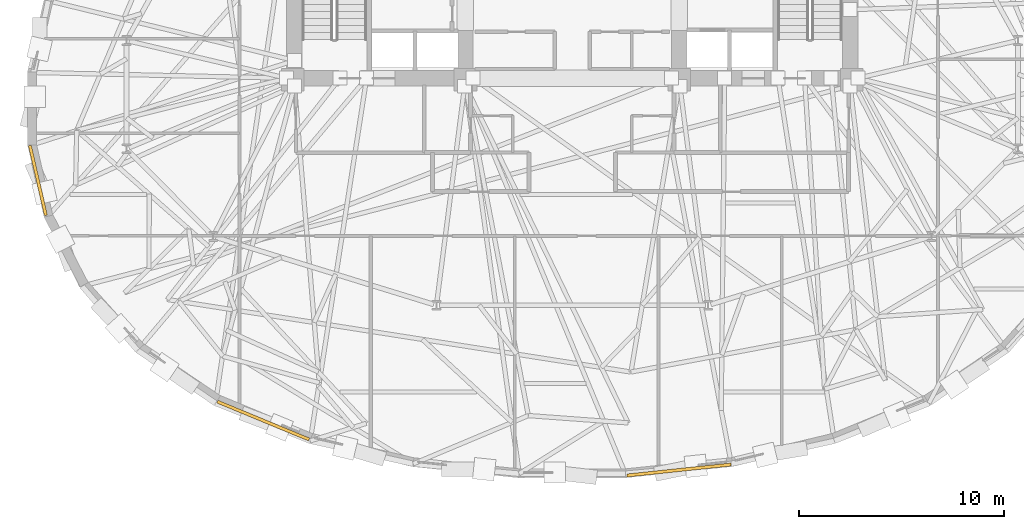
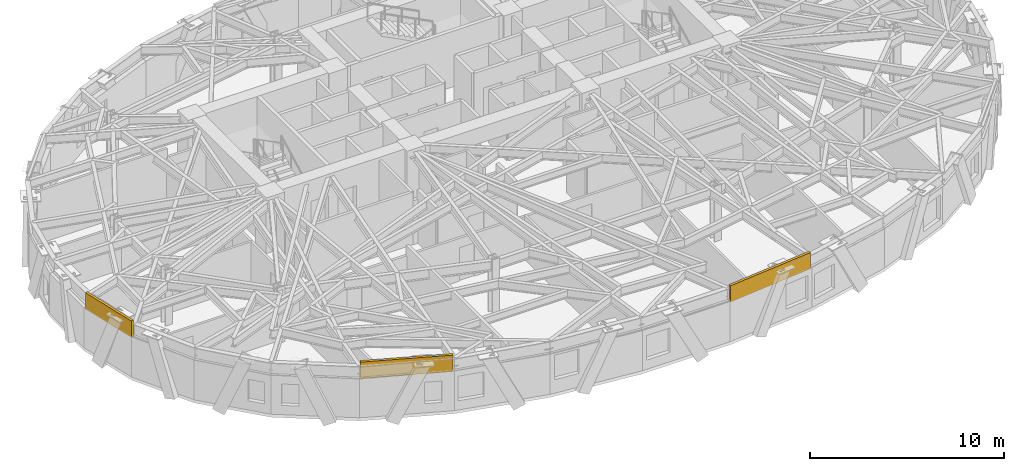
# One storey, part 11 of 14: 3 coverings.
"""IFC4 building model written with IfcOpenShell, lengths in metres."""

import ifcopenshell
import ifcopenshell.guid

model = None  # the IFC model being written
_history = None  # IfcOwnerHistory: only IFC2X3 demands one
_inside = {}  # id of a spatial element -> (the spatial element, [elements in it])
_under = {}  # id of a project, library or spatial element -> (it, [spatial elements below it])
_declared = {}  # id of a project -> (the project, [libraries it declares])
_typed = {}  # id of a type object -> (the type object, [elements of that type])
_made_of = {}  # id of a material, layer set ... -> (it, [elements and type objects made of it])


def new_model(schema):
    """Start an empty IFC model of exactly this schema.

    Asked for "IFC4X3", IfcOpenShell would pick the latest addendum, in which some entities
    have other attributes; the version numbers below select the first issue.
    IFC2X3 requires an IfcOwnerHistory on every rooted entity: one is made here for all.
    """
    global model, _history
    if schema == "IFC4X3":
        model = ifcopenshell.file(schema_version=(4, 3, 0, 0))
    else:
        model = ifcopenshell.file(schema=schema)
    _inside.clear()
    _under.clear()
    _declared.clear()
    _typed.clear()
    _made_of.clear()
    _history = None
    if model.schema == "IFC2X3":
        org = make("IfcOrganization", Name="unknown")
        user = make(
            "IfcPersonAndOrganization",
            ThePerson=make("IfcPerson", FamilyName="unknown"),
            TheOrganization=org,
        )
        app = make(
            "IfcApplication",
            ApplicationDeveloper=org,
            Version="unknown",
            ApplicationFullName="unknown",
            ApplicationIdentifier="unknown",
        )
        _history = make(
            "IfcOwnerHistory",
            OwningUser=user,
            OwningApplication=app,
            ChangeAction="ADDED",
            CreationDate=0,
        )
    return model


def make(cls, **values):
    """One entity of the class cls with the attributes given. An attribute that is None is left unset."""
    return model.create_entity(
        cls, **{name: value for name, value in values.items() if value is not None}
    )


def rooted(cls, **values):
    """An entity with a GlobalId (a new one), such as an element, a storey or a relation."""
    return make(cls, GlobalId=ifcopenshell.guid.new(), OwnerHistory=_history, **values)


def si_unit(unit_type, name, prefix=None):
    """IfcSIUnit, for example si_unit("LENGTHUNIT", "METRE", prefix="MILLI")."""
    return make("IfcSIUnit", UnitType=unit_type, Prefix=prefix, Name=name)


def assignment(units):
    """IfcUnitAssignment: the units of a project."""
    return None if units is None else make("IfcUnitAssignment", Units=units)


def point(xyz):
    """IfcCartesianPoint."""
    return None if xyz is None else make("IfcCartesianPoint", Coordinates=xyz)


def direction(xyz):
    """IfcDirection."""
    return None if xyz is None else make("IfcDirection", DirectionRatios=xyz)


def frame(location, z_axis=None, x_axis=None):
    """IfcAxis2Placement3D, a coordinate frame: its origin and axes. An axis left out is left unset."""
    return make(
        "IfcAxis2Placement3D",
        Location=point(location),
        Axis=direction(z_axis),
        RefDirection=direction(x_axis),
    )


def frame_2d(location, x_axis=None):
    """IfcAxis2Placement2D, a coordinate frame in the plane: its origin and x axis."""
    return make(
        "IfcAxis2Placement2D", Location=point(location), RefDirection=direction(x_axis)
    )


def origin():
    """The frame at (0, 0, 0) with its axes left unset."""
    return frame((0.0, 0.0, 0.0))


def origin_2d():
    """The frame at (0, 0) in the plane with its x axis left unset."""
    return frame_2d((0.0, 0.0))


def place(relative_to, where):
    """IfcLocalPlacement: puts the frame where relative to a parent placement (None: the world)."""
    return make(
        "IfcLocalPlacement", PlacementRelTo=relative_to, RelativePlacement=where
    )


def context(
    kind, dimensions, precision=None, world=None, true_north=None, identifier=None
):
    """IfcGeometricRepresentationContext, for example the 3D "Model" context."""
    return make(
        "IfcGeometricRepresentationContext",
        ContextIdentifier=identifier,
        ContextType=kind,
        CoordinateSpaceDimension=dimensions,
        Precision=precision,
        WorldCoordinateSystem=world,
        TrueNorth=true_north,
    )


def subcontext(parent, identifier, kind, view, scale=None):
    """IfcGeometricRepresentationSubContext, for example "Body" below "Model"."""
    return make(
        "IfcGeometricRepresentationSubContext",
        ContextIdentifier=identifier,
        ContextType=kind,
        ParentContext=parent,
        TargetScale=scale,
        TargetView=view,
    )


def project(units=None, contexts=None):
    """IfcProject with its units and contexts."""
    return rooted(
        "IfcProject",
        Name="project",
        RepresentationContexts=contexts,
        UnitsInContext=assignment(units),
    )


def spatial(cls, under=None, at=None, **own):
    """A site, building, storey or space (cls), placed at a placement, below another one or the project."""
    s = rooted(cls, ObjectPlacement=at, **own)
    if under is not None:
        _under.setdefault(under.id(), (under, []))[1].append(s)
    return s


def profile(cls, at=None, kind="AREA", **sizes):
    """A parametric profile (cls). Its sizes go by their IFC names, for example OverallWidth=200.0."""
    return make(cls, ProfileType=kind, Position=at, **sizes)


def rectangle(**sizes):
    """IfcRectangleProfileDef."""
    return profile("IfcRectangleProfileDef", **sizes)


def extrude(swept, where, along, depth):
    """IfcExtrudedAreaSolid: the profile swept, set in the frame where, extruded along a direction by depth."""
    return make(
        "IfcExtrudedAreaSolid",
        SweptArea=swept,
        Position=where,
        ExtrudedDirection=direction(along),
        Depth=depth,
    )


def shape(context_of_items, identifier, shape_type, items):
    """IfcShapeRepresentation: the items that make up one representation, for example the "Body"."""
    return make(
        "IfcShapeRepresentation",
        ContextOfItems=context_of_items,
        RepresentationIdentifier=identifier,
        RepresentationType=shape_type,
        Items=items,
    )


def material(Name=None, Category=None):
    """IfcMaterial."""
    return make("IfcMaterial", Name=Name, Category=Category)


def layer(
    of_material, thickness, ventilated=None, Name=None, Category=None, Priority=None
):
    """IfcMaterialLayer: one layer of a wall or slab, of a material (None: an air gap)."""
    return make(
        "IfcMaterialLayer",
        Material=of_material,
        LayerThickness=thickness,
        IsVentilated=ventilated,
        Name=Name,
        Category=Category,
        Priority=Priority,
    )


def layer_set(layers, Name=None):
    """IfcMaterialLayerSet."""
    return make("IfcMaterialLayerSet", MaterialLayers=layers, LayerSetName=Name)


def made_of(thing, what):
    """Note that an element or type object is made of a material, layer set ...; save() writes the relation."""
    if what is not None:
        _made_of.setdefault(what.id(), (what, []))[1].append(thing)
    return thing


def type_object(cls, material=None, **own):
    """A type object (cls), such as IfcWallType, which elements share."""
    return made_of(rooted(cls, **own), material)


def element(
    cls,
    number,
    at=None,
    inside=None,
    cuts=None,
    type_object=None,
    material=None,
    context=None,
    identifier="Body",
    shape_type=None,
    held_by="IfcProductDefinitionShape",
    body=None,
    shapes=None,
    **own,
):
    """One element of the class cls, such as IfcWall. Its Tag is "e" and its number.

    at: its placement. inside: the storey or other place that contains it. cuts: it is an
    opening in that element (IfcRelVoidsElement). A single representation is given by context,
    identifier, shape_type and body (its items); several are given by shapes. held_by: the class
    of the entity that holds the representations. save() writes the other relations.
    """
    e = rooted(cls, Tag="e%d" % number, ObjectPlacement=at, **own)
    if body is not None:
        shapes = [shape(context, identifier, shape_type, body)]
    if shapes is not None:
        e.Representation = make(held_by, Representations=shapes)
    if inside is not None:
        _inside.setdefault(inside.id(), (inside, []))[1].append(e)
    if cuts is not None:
        rooted(
            "IfcRelVoidsElement", RelatingBuildingElement=cuts, RelatedOpeningElement=e
        )
    if type_object is not None:
        _typed.setdefault(type_object.id(), (type_object, []))[1].append(e)
    return made_of(e, material)


def aggregate(whole, parts):
    """IfcRelAggregates: a whole, such as a stair, and the parts it consists of."""
    return rooted("IfcRelAggregates", RelatingObject=whole, RelatedObjects=parts)


def save(model, path):
    """Write the relations noted so far, then the file.

    IfcRelAggregates (storeys below a building ...), IfcRelContainedInSpatialStructure (elements
    in a storey), IfcRelDefinesByType, IfcRelAssociatesMaterial and IfcRelDeclares: one each for
    every whole, place, type object, material and project.
    """
    for whole, parts in _under.values():
        aggregate(whole, parts)
    for where, things in _inside.values():
        rooted(
            "IfcRelContainedInSpatialStructure",
            RelatedElements=things,
            RelatingStructure=where,
        )
    for kind, things in _typed.values():
        rooted("IfcRelDefinesByType", RelatedObjects=things, RelatingType=kind)
    for what, things in _made_of.values():
        rooted("IfcRelAssociatesMaterial", RelatedObjects=things, RelatingMaterial=what)
    for by, libraries in _declared.values():
        rooted("IfcRelDeclares", RelatingContext=by, RelatedDefinitions=libraries)
    model.write(path)


model = new_model("IFC4")

# Units and contexts
model_context = context("Model", 3, precision=1e-05, world=origin(), true_north=direction((0.0, 1.0)))
body_context = subcontext(model_context, "Body", "Model", "MODEL_VIEW")
ifc_project = project(units=[si_unit("LENGTHUNIT", "METRE"), si_unit("AREAUNIT", "SQUARE_METRE"), si_unit("VOLUMEUNIT", "CUBIC_METRE"), si_unit("PLANEANGLEUNIT", "RADIAN"), si_unit("MASSUNIT", "GRAM", prefix="KILO")], contexts=[model_context])

# Site, building, storey
site_placement = place(None, origin())
site = spatial("IfcSite", under=ifc_project, at=site_placement, CompositionType="ELEMENT")
building_placement = place(site_placement, origin())
building = spatial("IfcBuilding", under=site, at=building_placement, Name="Keldmark Tower", CompositionType="ELEMENT")
storey_placement = place(building_placement, frame((0.0, 0.0, 117.60009765625)))
storey = spatial("IfcBuildingStorey", under=building, at=storey_placement, Name="L31", CompositionType="ELEMENT", Elevation=117.60009765625)

# Coverings
ifc_material = material(Name="Honed Kasota Buff Dolomitic Limestone", Category="masonry")
ifc_layer = layer(ifc_material, 0.074951171875)
ifc_layer_set = layer_set([ifc_layer], Name="Honed Kasota Buff Dolomitic Limestone")
covering_type = type_object("IfcCoveringType", Name="Kasota Buff Limestone Spandrel Cladding Band", PredefinedType="CLADDING", material=ifc_layer_set)
covering_1_placement = place(storey_placement, frame((-26.01171875, -3.50537109375, 2.45166015625), z_axis=(0.0, 0.0, 1.0), x_axis=(0.223318166636, -0.974745606017, 0.0)))
element("IfcCovering", 1, at=covering_1_placement, inside=storey, type_object=covering_type, Name="L31 Kasota Limestone Spandrel Band 17", PredefinedType="CLADDING", context=body_context, shape_type="SweptSolid", body=[
    extrude(rectangle(XDim=3.48876953125, YDim=0.14990234375, at=origin_2d()), origin(), (0.0, 0.0, 1.0), 1.028076171875),
])
covering_2_placement = place(storey_placement, frame((-15.0439453125, -15.19189453125, 2.45166015625), z_axis=(0.0, 0.0, 1.0), x_axis=(0.924146470781, -0.38203834957, 0.0)))
element("IfcCovering", 2, at=covering_2_placement, inside=storey, type_object=covering_type, Name="L31 Kasota Limestone Spandrel Band 21", PredefinedType="CLADDING", context=body_context, shape_type="SweptSolid", body=[
    extrude(rectangle(XDim=4.822998046875, YDim=0.14990234375, at=origin_2d()), origin(), (0.0, 0.0, 1.0), 1.028076171875),
])
covering_3_placement = place(storey_placement, frame((5.195068359375, -17.59814453125, 2.45166015625), z_axis=(0.0, 0.0, 1.0), x_axis=(0.994501809016, 0.104719395837, 0.0)))
element("IfcCovering", 3, at=covering_3_placement, inside=storey, type_object=covering_type, Name="L31 Kasota Limestone Spandrel Band 25", PredefinedType="CLADDING", context=body_context, shape_type="SweptSolid", body=[
    extrude(rectangle(XDim=5.097412109375, YDim=0.14990234375, at=origin_2d()), origin(), (0.0, 0.0, 1.0), 1.028076171875),
])

save(model, "model.ifc")
